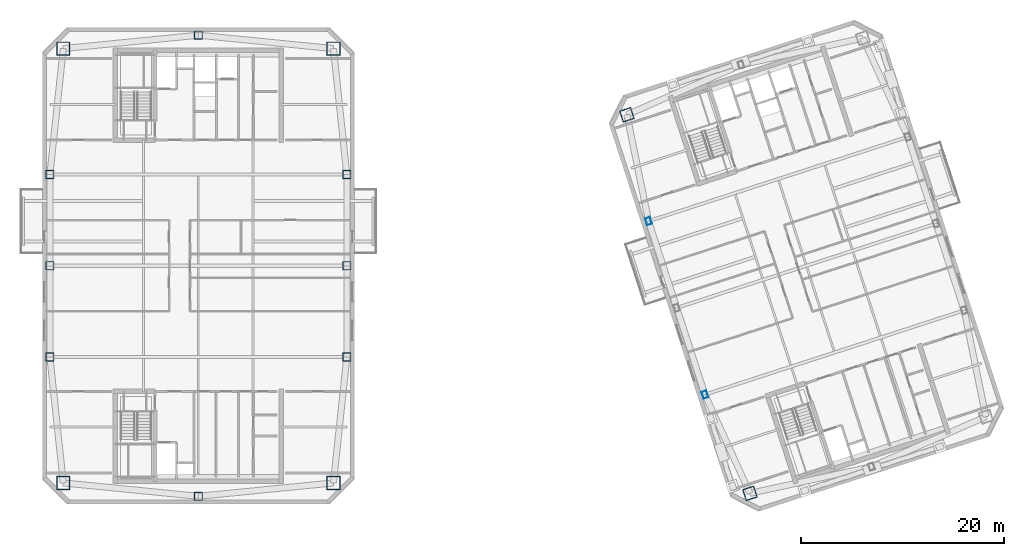
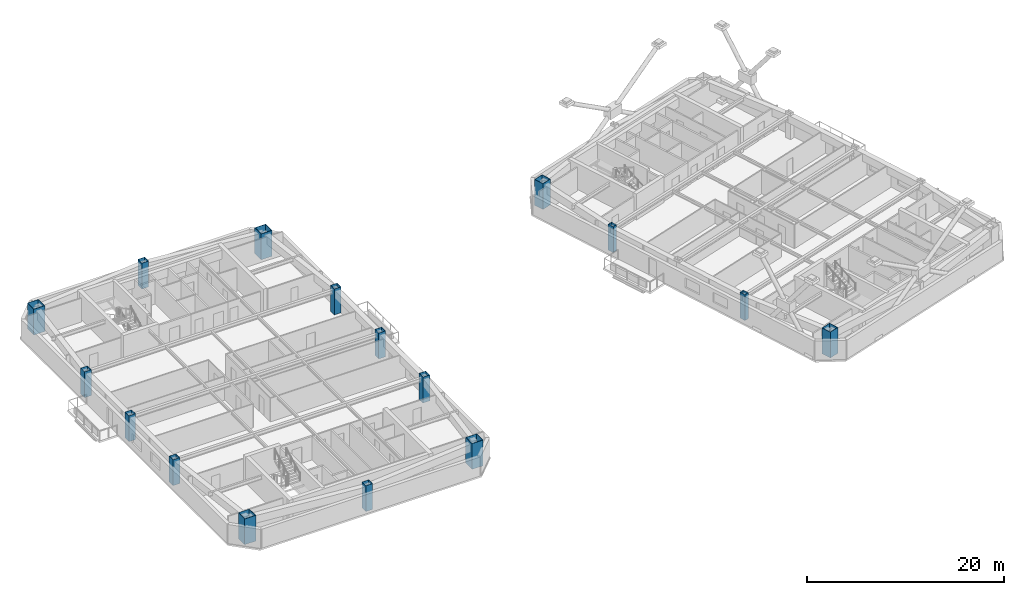
# One storey, part 1 of 16: 16 columns.
"""IFC4 building model written with IfcOpenShell, lengths in metres."""

from ifc_helpers import new_model, si_unit, direction, frame, origin, origin_2d, place, context, subcontext, project, spatial, hollow_rectangle, extrude, material, material_profile, profile_set, type_object, element, save


model = new_model("IFC4")

# Units and contexts
model_context = context("Model", 3, precision=1e-05, world=origin(), true_north=direction((0.0, 1.0)))
body_context = subcontext(model_context, "Body", "Model", "MODEL_VIEW")
ifc_project = project(units=[si_unit("LENGTHUNIT", "METRE"), si_unit("AREAUNIT", "SQUARE_METRE"), si_unit("VOLUMEUNIT", "CUBIC_METRE"), si_unit("PLANEANGLEUNIT", "RADIAN"), si_unit("MASSUNIT", "GRAM", prefix="KILO")], contexts=[model_context])

# Site, building, storey
site_placement = place(None, origin())
site = spatial("IfcSite", under=ifc_project, at=site_placement, CompositionType="ELEMENT")
building_placement = place(site_placement, origin())
building = spatial("IfcBuilding", under=site, at=building_placement, Name="Qiaolan Cultural Towers", CompositionType="ELEMENT")
storey_placement = place(building_placement, frame((0.0, 0.0, 240.800048828125)))
storey = spatial("IfcBuildingStorey", under=building, at=storey_placement, Name="L65", CompositionType="ELEMENT", Elevation=240.800048828125)

# Columns
ifc_material_1 = material(Name="Steel Q390GJB", Category="steel")
ifc_material_profile_1 = material_profile(ifc_material_1, hollow_rectangle(XDim=1.14990234375, YDim=1.14990234375, WallThickness=0.0400390625, at=origin_2d()), Name="BOX1150x1150x40")
ifc_profile_set_1 = profile_set([ifc_material_profile_1], Name="Steel Q390GJB")
column_type_1 = type_object("IfcColumnType", Name="COL-BOX1150x1150x40", PredefinedType="COLUMN", material=ifc_profile_set_1)
for number, where, z_axis, x_axis, name in (
    (1, (84.42822265625, 11.538818359375, 0.0), (0.0, 0.0, 1.0), (0.951056516295, 0.309016994375, 0.0), "L65 T2 Perimeter Column MC-SW"),
    (2, (72.2900390625, 48.896484375, 0.0), (0.0, 0.0, 1.0), (0.951056516295, 0.309016994375, 0.0), "L65 T2 Perimeter Column MC-NW"),
):
    element("IfcColumn", number, at=place(storey_placement, frame(where, z_axis=z_axis, x_axis=x_axis)), inside=storey, type_object=column_type_1, Name=name, PredefinedType="COLUMN", context=body_context, shape_type="SweptSolid", body=[
        extrude(hollow_rectangle(XDim=1.14990234375, YDim=1.14990234375, WallThickness=0.0400390625, at=origin_2d()), origin(), (0.0, 0.0, 1.0), 3.200927734375),
    ])
ifc_material_2 = material(Name="Steel Q390GJB", Category="steel")
ifc_material_profile_2 = material_profile(ifc_material_2, hollow_rectangle(XDim=1.300048828125, YDim=1.300048828125, WallThickness=0.044921875, at=origin_2d()), Name="BOX1300x1300x45")
ifc_profile_set_2 = profile_set([ifc_material_profile_2], Name="Steel Q390GJB")
column_type_2 = type_object("IfcColumnType", Name="COL-BOX1300x1300x45", PredefinedType="COLUMN", material=ifc_profile_set_2)
for number, where, z_axis, x_axis, name in (
    (3, (16.669921875, 12.570068359375, 0.0), (0.0, 0.0, 1.0), (1.0, 0.0, 0.0), "L65 T1 Perimeter Column MC-SW"),
    (4, (43.330078125, 12.570068359375, 0.0), (0.0, 0.0, 1.0), (1.0, 0.0, 0.0), "L65 T1 Perimeter Column MC-SE"),
    (5, (43.330078125, 55.429931640625, 0.0), (0.0, 0.0, 1.0), (1.0, 0.0, 0.0), "L65 T1 Perimeter Column MC-NE"),
    (6, (16.669921875, 55.429931640625, 0.0), (0.0, 0.0, 1.0), (1.0, 0.0, 0.0), "L65 T1 Perimeter Column MC-NW"),
):
    element("IfcColumn", number, at=place(storey_placement, frame(where, z_axis=z_axis, x_axis=x_axis)), inside=storey, type_object=column_type_2, Name=name, PredefinedType="COLUMN", context=body_context, shape_type="SweptSolid", body=[
        extrude(hollow_rectangle(XDim=1.300048828125, YDim=1.300048828125, WallThickness=0.044921875, at=origin_2d()), origin(), (0.0, 0.0, 1.0), 3.200927734375),
    ])
ifc_material_3 = material(Name="Steel Q355B", Category="steel")
ifc_material_profile_3 = material_profile(ifc_material_3, hollow_rectangle(XDim=0.5, YDim=0.699951171875, WallThickness=0.02490234375, at=origin_2d()), Name="BOX700x500x25")
ifc_profile_set_3 = profile_set([ifc_material_profile_3], Name="Steel Q355B")
column_type_3 = type_object("IfcColumnType", Name="COL-BOX700x500x25", PredefinedType="COLUMN", material=ifc_profile_set_3)
for number, where, z_axis, x_axis, name in (
    (7, (79.989501953125, 21.2841796875, 0.0), (0.0, 0.0, 1.0), (0.951056516295, 0.309016994375, 0.0), "L65 T2 Perimeter Column PC-W1"),
    (8, (74.42724609375, 38.4033203125, 0.0), (0.0, 0.0, 1.0), (0.951056516295, 0.309016994375, 0.0), "L65 T2 Perimeter Column PC-W3"),
):
    element("IfcColumn", number, at=place(storey_placement, frame(where, z_axis=z_axis, x_axis=x_axis)), inside=storey, type_object=column_type_3, Name=name, PredefinedType="COLUMN", context=body_context, shape_type="SweptSolid", body=[
        extrude(hollow_rectangle(XDim=0.5, YDim=0.699951171875, WallThickness=0.02490234375, at=origin_2d()), origin(), (0.0, 0.0, 1.0), 3.200927734375),
    ])
ifc_material_4 = material(Name="Steel Q355B", Category="steel")
ifc_material_profile_4 = material_profile(ifc_material_4, hollow_rectangle(XDim=0.800048828125, YDim=0.800048828125, WallThickness=0.028076171875, at=origin_2d()), Name="BOX800x800x28")
ifc_profile_set_4 = profile_set([ifc_material_profile_4], Name="Steel Q355B")
column_type_4 = type_object("IfcColumnType", Name="COL-BOX800x800x28", PredefinedType="COLUMN", material=ifc_profile_set_4)
for number, where, z_axis, x_axis, name in (
    (9, (15.35009765625, 25.0, 0.0), (0.0, 0.0, 1.0), (1.0, 0.0, 0.0), "L65 T1 Perimeter Column PC-W1"),
    (10, (15.35009765625, 34.0, 0.0), (0.0, 0.0, 1.0), (1.0, 0.0, 0.0), "L65 T1 Perimeter Column PC-W2"),
    (11, (15.35009765625, 43.0, 0.0), (0.0, 0.0, 1.0), (1.0, 0.0, 0.0), "L65 T1 Perimeter Column PC-W3"),
    (12, (44.64990234375, 25.0, 0.0), (0.0, 0.0, 1.0), (1.0, 0.0, 0.0), "L65 T1 Perimeter Column PC-E1"),
    (13, (44.64990234375, 34.0, 0.0), (0.0, 0.0, 1.0), (1.0, 0.0, 0.0), "L65 T1 Perimeter Column PC-E2"),
    (14, (44.64990234375, 43.0, 0.0), (0.0, 0.0, 1.0), (1.0, 0.0, 0.0), "L65 T1 Perimeter Column PC-E3"),
    (15, (30.0, 11.25, 0.0), (0.0, 0.0, 1.0), (1.0, 0.0, 0.0), "L65 T1 Perimeter Column PC-S0"),
    (16, (30.0, 56.75, 0.0), (0.0, 0.0, 1.0), (1.0, 0.0, 0.0), "L65 T1 Perimeter Column PC-N0"),
):
    element("IfcColumn", number, at=place(storey_placement, frame(where, z_axis=z_axis, x_axis=x_axis)), inside=storey, type_object=column_type_4, Name=name, PredefinedType="COLUMN", context=body_context, shape_type="SweptSolid", body=[
        extrude(hollow_rectangle(XDim=0.800048828125, YDim=0.800048828125, WallThickness=0.028076171875, at=origin_2d()), origin(), (0.0, 0.0, 1.0), 3.200927734375),
    ])

save(model, "model.ifc")
